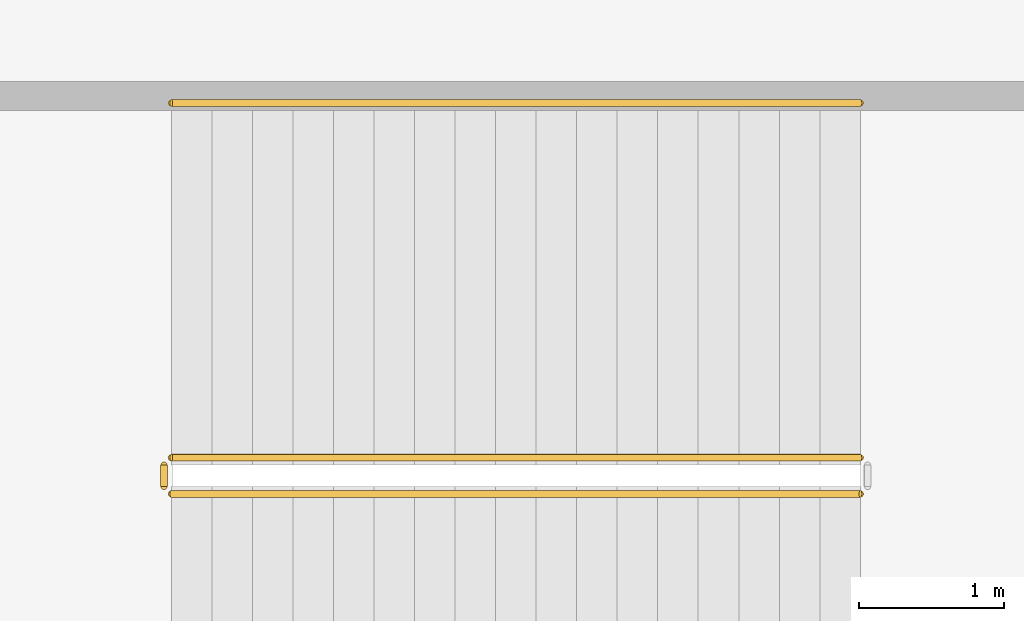
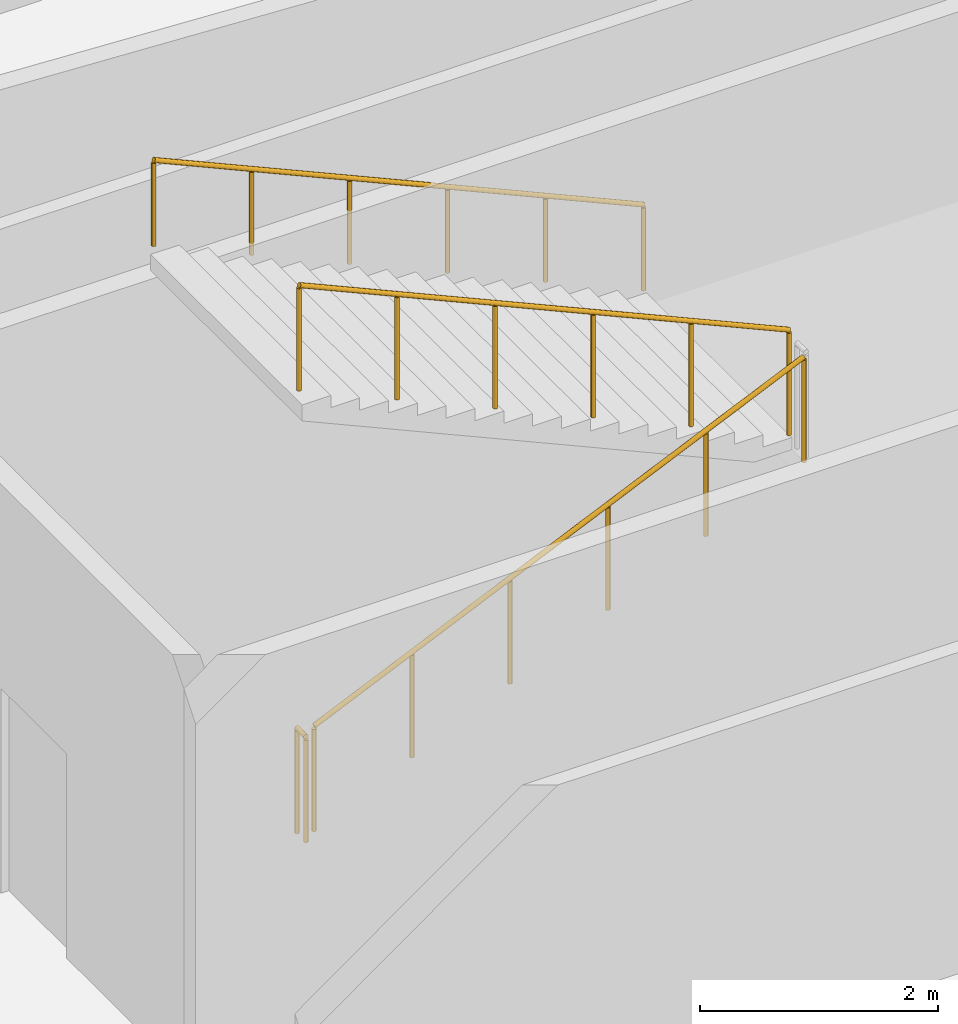
# One storey, part 17 of 23: 4 railings.
"""IFC4 building model written with IfcOpenShell, lengths in metres."""

import ifcopenshell
import ifcopenshell.guid

model = None  # the IFC model being written
_history = None  # IfcOwnerHistory: only IFC2X3 demands one
_inside = {}  # id of a spatial element -> (the spatial element, [elements in it])
_under = {}  # id of a project, library or spatial element -> (it, [spatial elements below it])
_declared = {}  # id of a project -> (the project, [libraries it declares])
_typed = {}  # id of a type object -> (the type object, [elements of that type])
_made_of = {}  # id of a material, layer set ... -> (it, [elements and type objects made of it])


def new_model(schema):
    """Start an empty IFC model of exactly this schema.

    Asked for "IFC4X3", IfcOpenShell would pick the latest addendum, in which some entities
    have other attributes; the version numbers below select the first issue.
    IFC2X3 requires an IfcOwnerHistory on every rooted entity: one is made here for all.
    """
    global model, _history
    if schema == "IFC4X3":
        model = ifcopenshell.file(schema_version=(4, 3, 0, 0))
    else:
        model = ifcopenshell.file(schema=schema)
    _inside.clear()
    _under.clear()
    _declared.clear()
    _typed.clear()
    _made_of.clear()
    _history = None
    if model.schema == "IFC2X3":
        org = make("IfcOrganization", Name="unknown")
        user = make(
            "IfcPersonAndOrganization",
            ThePerson=make("IfcPerson", FamilyName="unknown"),
            TheOrganization=org,
        )
        app = make(
            "IfcApplication",
            ApplicationDeveloper=org,
            Version="unknown",
            ApplicationFullName="unknown",
            ApplicationIdentifier="unknown",
        )
        _history = make(
            "IfcOwnerHistory",
            OwningUser=user,
            OwningApplication=app,
            ChangeAction="ADDED",
            CreationDate=0,
        )
    return model


def make(cls, **values):
    """One entity of the class cls with the attributes given. An attribute that is None is left unset."""
    return model.create_entity(
        cls, **{name: value for name, value in values.items() if value is not None}
    )


def rooted(cls, **values):
    """An entity with a GlobalId (a new one), such as an element, a storey or a relation."""
    return make(cls, GlobalId=ifcopenshell.guid.new(), OwnerHistory=_history, **values)


def si_unit(unit_type, name, prefix=None):
    """IfcSIUnit, for example si_unit("LENGTHUNIT", "METRE", prefix="MILLI")."""
    return make("IfcSIUnit", UnitType=unit_type, Prefix=prefix, Name=name)


def assignment(units):
    """IfcUnitAssignment: the units of a project."""
    return None if units is None else make("IfcUnitAssignment", Units=units)


def point(xyz):
    """IfcCartesianPoint."""
    return None if xyz is None else make("IfcCartesianPoint", Coordinates=xyz)


def direction(xyz):
    """IfcDirection."""
    return None if xyz is None else make("IfcDirection", DirectionRatios=xyz)


def frame(location, z_axis=None, x_axis=None):
    """IfcAxis2Placement3D, a coordinate frame: its origin and axes. An axis left out is left unset."""
    return make(
        "IfcAxis2Placement3D",
        Location=point(location),
        Axis=direction(z_axis),
        RefDirection=direction(x_axis),
    )


def frame_2d(location, x_axis=None):
    """IfcAxis2Placement2D, a coordinate frame in the plane: its origin and x axis."""
    return make(
        "IfcAxis2Placement2D", Location=point(location), RefDirection=direction(x_axis)
    )


def origin():
    """The frame at (0, 0, 0) with its axes left unset."""
    return frame((0.0, 0.0, 0.0))


def origin_2d():
    """The frame at (0, 0) in the plane with its x axis left unset."""
    return frame_2d((0.0, 0.0))


def place(relative_to, where):
    """IfcLocalPlacement: puts the frame where relative to a parent placement (None: the world)."""
    return make(
        "IfcLocalPlacement", PlacementRelTo=relative_to, RelativePlacement=where
    )


def context(
    kind, dimensions, precision=None, world=None, true_north=None, identifier=None
):
    """IfcGeometricRepresentationContext, for example the 3D "Model" context."""
    return make(
        "IfcGeometricRepresentationContext",
        ContextIdentifier=identifier,
        ContextType=kind,
        CoordinateSpaceDimension=dimensions,
        Precision=precision,
        WorldCoordinateSystem=world,
        TrueNorth=true_north,
    )


def subcontext(parent, identifier, kind, view, scale=None):
    """IfcGeometricRepresentationSubContext, for example "Body" below "Model"."""
    return make(
        "IfcGeometricRepresentationSubContext",
        ContextIdentifier=identifier,
        ContextType=kind,
        ParentContext=parent,
        TargetScale=scale,
        TargetView=view,
    )


def project(units=None, contexts=None):
    """IfcProject with its units and contexts."""
    return rooted(
        "IfcProject",
        Name="project",
        RepresentationContexts=contexts,
        UnitsInContext=assignment(units),
    )


def spatial(cls, under=None, at=None, **own):
    """A site, building, storey or space (cls), placed at a placement, below another one or the project."""
    s = rooted(cls, ObjectPlacement=at, **own)
    if under is not None:
        _under.setdefault(under.id(), (under, []))[1].append(s)
    return s


def profile(cls, at=None, kind="AREA", **sizes):
    """A parametric profile (cls). Its sizes go by their IFC names, for example OverallWidth=200.0."""
    return make(cls, ProfileType=kind, Position=at, **sizes)


def circle(**sizes):
    """IfcCircleProfileDef."""
    return profile("IfcCircleProfileDef", **sizes)


def extrude(swept, where, along, depth):
    """IfcExtrudedAreaSolid: the profile swept, set in the frame where, extruded along a direction by depth."""
    return make(
        "IfcExtrudedAreaSolid",
        SweptArea=swept,
        Position=where,
        ExtrudedDirection=direction(along),
        Depth=depth,
    )


def shape(context_of_items, identifier, shape_type, items):
    """IfcShapeRepresentation: the items that make up one representation, for example the "Body"."""
    return make(
        "IfcShapeRepresentation",
        ContextOfItems=context_of_items,
        RepresentationIdentifier=identifier,
        RepresentationType=shape_type,
        Items=items,
    )


def source(mapping_origin, context_of_items, identifier, shape_type, items):
    """IfcRepresentationMap: a shape defined once, which mapped items show again and again."""
    return make(
        "IfcRepresentationMap",
        MappingOrigin=mapping_origin,
        MappedRepresentation=shape(context_of_items, identifier, shape_type, items),
    )


def transform(
    local_origin,
    x_axis=None,
    y_axis=None,
    z_axis=None,
    scale=None,
    scale2=None,
    scale3=None,
    uniform=True,
):
    """IfcCartesianTransformationOperator3D, or its non-uniform kind. x_axis, y_axis, z_axis: its Axis1, 2, 3."""
    if uniform:
        return make(
            "IfcCartesianTransformationOperator3D",
            Axis1=direction(x_axis),
            Axis2=direction(y_axis),
            LocalOrigin=point(local_origin),
            Scale=scale,
            Axis3=direction(z_axis),
        )
    return make(
        "IfcCartesianTransformationOperator3DnonUniform",
        Axis1=direction(x_axis),
        Axis2=direction(y_axis),
        LocalOrigin=point(local_origin),
        Scale=scale,
        Axis3=direction(z_axis),
        Scale2=scale2,
        Scale3=scale3,
    )


def mapped(mapping_source, mapping_target):
    """IfcMappedItem: shows the shape of a source again, moved by a transform."""
    return make(
        "IfcMappedItem", MappingSource=mapping_source, MappingTarget=mapping_target
    )


def material(Name=None, Category=None):
    """IfcMaterial."""
    return make("IfcMaterial", Name=Name, Category=Category)


def made_of(thing, what):
    """Note that an element or type object is made of a material, layer set ...; save() writes the relation."""
    if what is not None:
        _made_of.setdefault(what.id(), (what, []))[1].append(thing)
    return thing


def type_object(cls, material=None, **own):
    """A type object (cls), such as IfcWallType, which elements share."""
    return made_of(rooted(cls, **own), material)


def element(
    cls,
    number,
    at=None,
    inside=None,
    cuts=None,
    type_object=None,
    material=None,
    context=None,
    identifier="Body",
    shape_type=None,
    held_by="IfcProductDefinitionShape",
    body=None,
    shapes=None,
    **own,
):
    """One element of the class cls, such as IfcWall. Its Tag is "e" and its number.

    at: its placement. inside: the storey or other place that contains it. cuts: it is an
    opening in that element (IfcRelVoidsElement). A single representation is given by context,
    identifier, shape_type and body (its items); several are given by shapes. held_by: the class
    of the entity that holds the representations. save() writes the other relations.
    """
    e = rooted(cls, Tag="e%d" % number, ObjectPlacement=at, **own)
    if body is not None:
        shapes = [shape(context, identifier, shape_type, body)]
    if shapes is not None:
        e.Representation = make(held_by, Representations=shapes)
    if inside is not None:
        _inside.setdefault(inside.id(), (inside, []))[1].append(e)
    if cuts is not None:
        rooted(
            "IfcRelVoidsElement", RelatingBuildingElement=cuts, RelatedOpeningElement=e
        )
    if type_object is not None:
        _typed.setdefault(type_object.id(), (type_object, []))[1].append(e)
    return made_of(e, material)


def aggregate(whole, parts):
    """IfcRelAggregates: a whole, such as a stair, and the parts it consists of."""
    return rooted("IfcRelAggregates", RelatingObject=whole, RelatedObjects=parts)


def save(model, path):
    """Write the relations noted so far, then the file.

    IfcRelAggregates (storeys below a building ...), IfcRelContainedInSpatialStructure (elements
    in a storey), IfcRelDefinesByType, IfcRelAssociatesMaterial and IfcRelDeclares: one each for
    every whole, place, type object, material and project.
    """
    for whole, parts in _under.values():
        aggregate(whole, parts)
    for where, things in _inside.values():
        rooted(
            "IfcRelContainedInSpatialStructure",
            RelatedElements=things,
            RelatingStructure=where,
        )
    for kind, things in _typed.values():
        rooted("IfcRelDefinesByType", RelatedObjects=things, RelatingType=kind)
    for what, things in _made_of.values():
        rooted("IfcRelAssociatesMaterial", RelatedObjects=things, RelatingMaterial=what)
    for by, libraries in _declared.values():
        rooted("IfcRelDeclares", RelatingContext=by, RelatedDefinitions=libraries)
    model.write(path)


model = new_model("IFC4")

# Units and contexts
model_context = context("Model", 3, precision=1e-05, world=origin(), true_north=direction((0.0, 1.0)))
body_context = subcontext(model_context, "Body", "Model", "MODEL_VIEW")
ifc_project = project(units=[si_unit("LENGTHUNIT", "METRE"), si_unit("AREAUNIT", "SQUARE_METRE"), si_unit("VOLUMEUNIT", "CUBIC_METRE"), si_unit("PLANEANGLEUNIT", "RADIAN"), si_unit("MASSUNIT", "GRAM", prefix="KILO")], contexts=[model_context])

# Site, building, storey
site_placement = place(None, origin())
site = spatial("IfcSite", under=ifc_project, at=site_placement, CompositionType="ELEMENT")
building_placement = place(site_placement, origin())
building = spatial("IfcBuilding", under=site, at=building_placement, Name="Embergate Tower", CompositionType="ELEMENT")
storey_placement = place(building_placement, frame((0.0, 0.0, 29.0)))
storey = spatial("IfcBuildingStorey", under=building, at=storey_placement, Name="L03", CompositionType="ELEMENT", Elevation=29.0)

# Railings
ifc_material = material(Name="Steel", Category="steel")
railing_type_1 = type_object("IfcRailingType", Name="Podium stair guard 1100", PredefinedType="GUARDRAIL", material=ifc_material)
shared_shape_1 = source(origin(), body_context, "Body", "SweptSolid", [
    extrude(circle(Radius=0.02392578125, at=origin_2d()), frame((0.0, 0.0, 1.076171875), z_axis=(0.0, 1.0, 0.0), x_axis=(-1.0, 0.0, 0.0)), (0.0, 0.0, 1.0), 0.14990234375),
    extrude(circle(Radius=0.02099609375, at=origin_2d()), origin(), (0.0, 0.0, 1.0), 1.052001953125),
    extrude(circle(Radius=0.02099609375, at=origin_2d()), frame((0.0, 0.14990234375, 0.0)), (0.0, 0.0, 1.0), 1.052001953125),
])
railing_1_placement = place(storey_placement, frame((20.0, -8.199951171875, 0.0)))
element("IfcRailing", 1, at=railing_1_placement, inside=storey, type_object=railing_type_1, Name="L03 P2 stair guard 4", PredefinedType="GUARDRAIL", context=body_context, shape_type="MappedRepresentation", body=[
    mapped(shared_shape_1, transform((0.0, 0.0, 0.0))),
])
shared_shape_2 = source(origin(), body_context, "Body", "SweptSolid", [
    extrude(circle(Radius=0.02392578125, at=origin_2d()), frame((0.0, 0.0, 1.076171875), z_axis=(0.913138193756, 0.0, 0.40765014302), x_axis=(0.0, 1.0, 0.0)), (0.0, 0.0, 1.0), 5.212890625),
    extrude(circle(Radius=0.02099609375, at=origin_2d()), origin(), (0.0, 0.0, 1.0), 1.052001953125),
    extrude(circle(Radius=0.02099609375, at=origin_2d()), frame((0.951904296875, 0.0, 0.425048828125)), (0.0, 0.0, 1.0), 1.052001953125),
    extrude(circle(Radius=0.02099609375, at=origin_2d()), frame((1.904052734375, 0.0, 0.85009765625)), (0.0, 0.0, 1.0), 1.052001953125),
    extrude(circle(Radius=0.02099609375, at=origin_2d()), frame((2.85595703125, 0.0, 1.27490234375)), (0.0, 0.0, 1.0), 1.052001953125),
    extrude(circle(Radius=0.02099609375, at=origin_2d()), frame((3.80810546875, 0.0, 1.699951171875)), (0.0, 0.0, 1.0), 1.052001953125),
    extrude(circle(Radius=0.02099609375, at=origin_2d()), frame((4.760009765625, 0.0, 2.125)), (0.0, 0.0, 1.0), 1.052001953125),
])
railing_2_placement = place(storey_placement, frame((20.050048828125, -8.25, 0.125)))
element("IfcRailing", 2, at=railing_2_placement, inside=storey, type_object=railing_type_1, Name="L03 P2 stair guard 1", PredefinedType="GUARDRAIL", context=body_context, shape_type="MappedRepresentation", body=[
    mapped(shared_shape_2, transform((0.0, 0.0, 0.0))),
])
shared_shape_3 = source(origin(), body_context, "Body", "SweptSolid", [
    extrude(circle(Radius=0.02392578125, at=origin_2d()), frame((0.0, 0.0, 1.076171875), z_axis=(-0.913138193756, 0.0, 0.40765014302), x_axis=(0.0, -1.0, 0.0)), (0.0, 0.0, 1.0), 5.212890625),
    extrude(circle(Radius=0.02099609375, at=origin_2d()), origin(), (0.0, 0.0, 1.0), 1.052001953125),
    extrude(circle(Radius=0.02099609375, at=origin_2d()), frame((-0.951904296875, 0.0, 0.425048828125)), (0.0, 0.0, 1.0), 1.052001953125),
    extrude(circle(Radius=0.02099609375, at=origin_2d()), frame((-1.904052734375, 0.0, 0.85009765625)), (0.0, 0.0, 1.0), 1.052001953125),
    extrude(circle(Radius=0.02099609375, at=origin_2d()), frame((-2.85595703125, 0.0, 1.27490234375)), (0.0, 0.0, 1.0), 1.052001953125),
    extrude(circle(Radius=0.02099609375, at=origin_2d()), frame((-3.80810546875, 0.0, 1.699951171875)), (0.0, 0.0, 1.0), 1.052001953125),
    extrude(circle(Radius=0.02099609375, at=origin_2d()), frame((-4.760009765625, 0.0, 2.125)), (0.0, 0.0, 1.0), 1.052001953125),
])
railing_3_placement = place(storey_placement, frame((24.81005859375, -8.0, 2.375)))
element("IfcRailing", 3, at=railing_3_placement, inside=storey, type_object=railing_type_1, Name="L03 P2 stair guard 3", PredefinedType="GUARDRAIL", context=body_context, shape_type="MappedRepresentation", body=[
    mapped(shared_shape_3, transform((0.0, 0.0, 0.0))),
])
railing_type_2 = type_object("IfcRailingType", Name="Podium stair handrail 900", PredefinedType="HANDRAIL", material=ifc_material)
shared_shape_4 = source(origin(), body_context, "Body", "SweptSolid", [
    extrude(circle(Radius=0.02392578125, at=origin_2d()), frame((0.0, 0.0, 0.8759765625), z_axis=(-0.913138193756, 0.0, 0.40765014302), x_axis=(0.0, -1.0, 0.0)), (0.0, 0.0, 1.0), 5.212890625),
    extrude(circle(Radius=0.02099609375, at=origin_2d()), origin(), (0.0, 0.0, 1.0), 0.851806640625),
    extrude(circle(Radius=0.02099609375, at=origin_2d()), frame((-0.951904296875, 0.0, 0.425048828125)), (0.0, 0.0, 1.0), 0.851806640625),
    extrude(circle(Radius=0.02099609375, at=origin_2d()), frame((-1.904052734375, 0.0, 0.85009765625)), (0.0, 0.0, 1.0), 0.851806640625),
    extrude(circle(Radius=0.02099609375, at=origin_2d()), frame((-2.85595703125, 0.0, 1.27490234375)), (0.0, 0.0, 1.0), 0.851806640625),
    extrude(circle(Radius=0.02099609375, at=origin_2d()), frame((-3.80810546875, 0.0, 1.699951171875)), (0.0, 0.0, 1.0), 0.851806640625),
    extrude(circle(Radius=0.02099609375, at=origin_2d()), frame((-4.760009765625, 0.0, 2.125)), (0.0, 0.0, 1.0), 0.851806640625),
])
railing_4_placement = place(storey_placement, frame((24.81005859375, -5.550048828125, 2.375)))
element("IfcRailing", 4, at=railing_4_placement, inside=storey, type_object=railing_type_2, Name="L03 P2 stair handrail 2", PredefinedType="HANDRAIL", context=body_context, shape_type="MappedRepresentation", body=[
    mapped(shared_shape_4, transform((0.0, 0.0, 0.0))),
])

save(model, "model.ifc")
